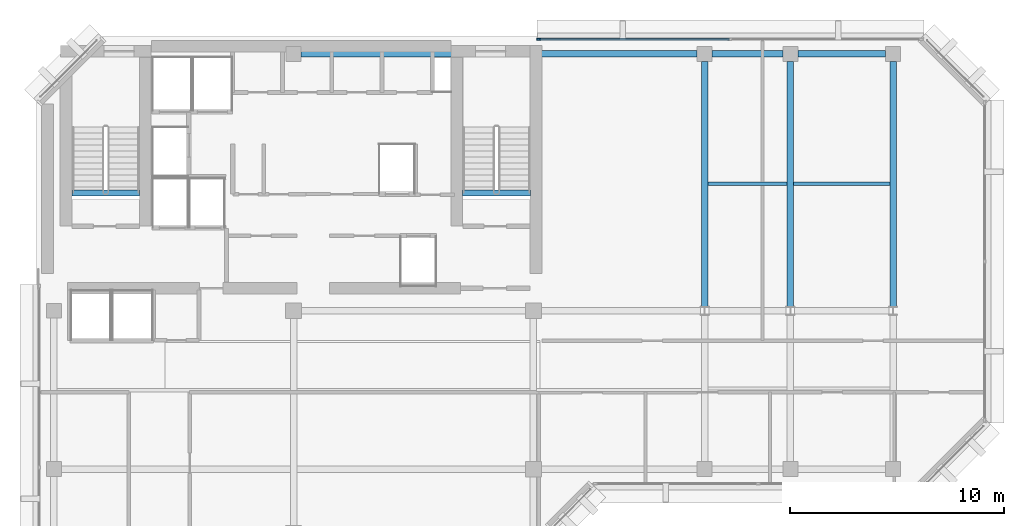
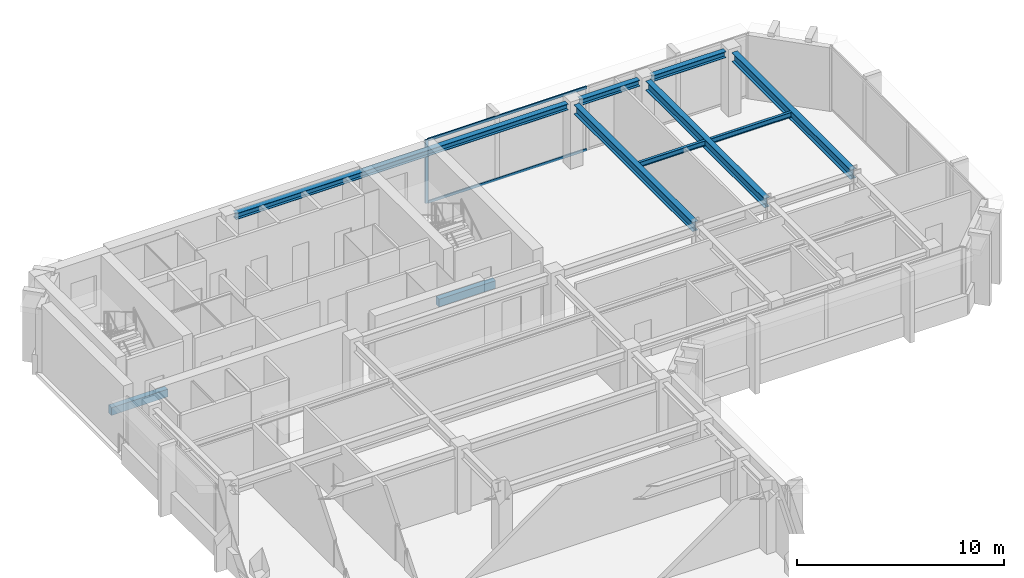
# One storey, part 4 of 12: 10 beams, 3 members, 1 element without a shape of its own.
"""IFC4 building model written with IfcOpenShell, lengths in metres."""

from ifc_helpers import new_model, si_unit, direction, frame, origin, origin_2d, place, context, subcontext, project, spatial, rectangle, i_section, extrude, material, layer, layer_set, material_profile, profile_set, type_object, element, aggregate, save


model = new_model("IFC4")

# Units and contexts
model_context = context("Model", 3, precision=1e-05, world=origin(), true_north=direction((0.0, 1.0)))
body_context = subcontext(model_context, "Body", "Model", "MODEL_VIEW")
ifc_project = project(units=[si_unit("LENGTHUNIT", "METRE"), si_unit("AREAUNIT", "SQUARE_METRE"), si_unit("VOLUMEUNIT", "CUBIC_METRE"), si_unit("PLANEANGLEUNIT", "RADIAN"), si_unit("MASSUNIT", "GRAM", prefix="KILO")], contexts=[model_context])

# Site, building, storey
site_placement = place(None, origin())
site = spatial("IfcSite", under=ifc_project, at=site_placement, CompositionType="ELEMENT")
building_placement = place(site_placement, origin())
building = spatial("IfcBuilding", under=site, at=building_placement, Name="Kefirva Bronze Tower", CompositionType="ELEMENT")
storey_placement = place(building_placement, frame((0.0, 0.0, 280.169921875)))
storey = spatial("IfcBuildingStorey", under=building, at=storey_placement, Name="L68", CompositionType="ELEMENT", Elevation=280.169921875)

# Curtain wall, members
ifc_material_1 = material(Name="Bronze anodised aluminium", Category="aluminium")
ifc_layer = layer(ifc_material_1, 0.179931640625, Name="Bronze anodised aluminium")
ifc_layer_set = layer_set([ifc_layer], Name="Bronze anodised aluminium")
curtain_wall_type = type_object("IfcCurtainWallType", Name="Unitised Bronze Ribbon Curtain Wall Zone 4", PredefinedType="USERDEFINED", material=ifc_layer_set)
curtain_wall_placement = place(storey_placement, origin())
curtain_wall = element("IfcCurtainWall", 1, at=curtain_wall_placement, inside=storey, type_object=curtain_wall_type, Name="L68 Curtain Wall 3", ObjectType="UNITISED CURTAIN WALL", PredefinedType="USERDEFINED")
ifc_material_profile_1 = material_profile(ifc_material_1, rectangle(XDim=0.074951171875, YDim=0.179931640625, at=origin_2d()), Name="ALU 75x180")
ifc_profile_set_1 = profile_set([ifc_material_profile_1], Name="Bronze anodised aluminium")
member_type_1 = type_object("IfcMemberType", Name="Bronze Mullion 75x180", PredefinedType="MULLION", material=ifc_profile_set_1)
member_1_placement = place(storey_placement, frame((23.4423828125, 45.8798828125, 0.0), z_axis=(0.0, 0.0, 1.0), x_axis=(0.0, -1.0, 0.0)))
member_1 = element("IfcMember", 2, at=member_1_placement, type_object=member_type_1, Name="CW-04 mullion 3", PredefinedType="MULLION", context=body_context, shape_type="SweptSolid", body=[
    extrude(rectangle(XDim=0.074951171875, YDim=0.179931640625, at=origin_2d()), origin(), (0.0, 0.0, 1.0), 3.739990234375),
])
ifc_material_profile_2 = material_profile(ifc_material_1, rectangle(XDim=0.074951171875, YDim=0.14990234375, at=origin_2d()), Name="ALU 75x150")
ifc_profile_set_2 = profile_set([ifc_material_profile_2], Name="Bronze anodised aluminium")
member_type_2 = type_object("IfcMemberType", Name="Bronze Transom 75x150", PredefinedType="USERDEFINED", material=ifc_profile_set_2)
member_2_placement = place(storey_placement, frame((32.33740234375, 45.8798828125, 0.03759765625), z_axis=(-1.0, 0.0, 0.0), x_axis=(0.0, -1.0, 0.0)))
member_2 = element("IfcMember", 3, at=member_2_placement, type_object=member_type_2, Name="CW-04 transom 2.1", ObjectType="TRANSOM", PredefinedType="USERDEFINED", context=body_context, shape_type="SweptSolid", body=[
    extrude(rectangle(XDim=0.074951171875, YDim=0.14990234375, at=origin_2d()), origin(), (0.0, 0.0, 1.0), 8.857421875),
])
member_3_placement = place(storey_placement, frame((32.33740234375, 45.8798828125, 3.70263671875), z_axis=(-1.0, 0.0, 0.0), x_axis=(0.0, -1.0, 0.0)))
member_3 = element("IfcMember", 4, at=member_3_placement, type_object=member_type_2, Name="CW-04 transom 2.2", ObjectType="TRANSOM", PredefinedType="USERDEFINED", context=body_context, shape_type="SweptSolid", body=[
    extrude(rectangle(XDim=0.074951171875, YDim=0.14990234375, at=origin_2d()), origin(), (0.0, 0.0, 1.0), 8.857421875),
])
aggregate(curtain_wall, [member_1, member_2, member_3])

# Beams
ifc_material_2 = material(Name="Concrete C50/60", Category="concrete")
ifc_material_profile_3 = material_profile(ifc_material_2, rectangle(XDim=0.300048828125, YDim=0.449951171875, at=origin_2d()), Name="RC 300x450")
ifc_profile_set_3 = profile_set([ifc_material_profile_3], Name="Concrete C50/60")
beam_type_1 = type_object("IfcBeamType", Name="RC Stair Trimmer Beam 300x450", PredefinedType="BEAM", material=ifc_profile_set_3)
beam_1_placement = place(storey_placement, frame((1.64501953125, 38.699951171875, -0.224853515625), z_axis=(1.0, 0.0, 0.0), x_axis=(0.0, 1.0, 0.0)))
element("IfcBeam", 5, at=beam_1_placement, inside=storey, type_object=beam_type_1, Name="L68 Stair 1 Landing Trimmer Beam", PredefinedType="BEAM", context=body_context, shape_type="SweptSolid", body=[
    extrude(rectangle(XDim=0.300048828125, YDim=0.449951171875, at=origin_2d()), origin(), (0.0, 0.0, 1.0), 3.14990234375),
])
beam_2_placement = place(storey_placement, frame((19.89501953125, 38.699951171875, -0.224853515625), z_axis=(1.0, 0.0, 0.0), x_axis=(0.0, 1.0, 0.0)))
element("IfcBeam", 6, at=beam_2_placement, inside=storey, type_object=beam_type_1, Name="L68 Stair 2 Landing Trimmer Beam", PredefinedType="BEAM", context=body_context, shape_type="SweptSolid", body=[
    extrude(rectangle(XDim=0.300048828125, YDim=0.449951171875, at=origin_2d()), origin(), (0.0, 0.0, 1.0), 3.159912109375),
])
ifc_material_3 = material(Name="Steel S355", Category="steel")
ifc_material_profile_4 = material_profile(ifc_material_3, i_section(OverallWidth=0.14990234375, OverallDepth=0.300048828125, WebThickness=0.007080078125, FlangeThickness=0.0107421875, at=origin_2d()), Name="IPE 300")
ifc_profile_set_4 = profile_set([ifc_material_profile_4], Name="Steel S355")
beam_type_2 = type_object("IfcBeamType", Name="Steel Floor Joist IPE 300", PredefinedType="JOIST", material=ifc_profile_set_4)
beam_3_placement = place(storey_placement, frame((31.35009765625, 39.12890625, 3.590087890625), z_axis=(1.0, 0.0, 0.0), x_axis=(0.0, 1.0, 0.0)))
element("IfcBeam", 7, at=beam_3_placement, inside=storey, type_object=beam_type_2, Name="L68 JST-L68-31-391", PredefinedType="JOIST", context=body_context, shape_type="SweptSolid", body=[
    extrude(i_section(OverallWidth=0.14990234375, OverallDepth=0.300048828125, WebThickness=0.007080078125, FlangeThickness=0.0107421875, at=origin_2d()), origin(), (0.0, 0.0, 1.0), 3.699951171875),
])
beam_4_placement = place(storey_placement, frame((35.35009765625, 39.12890625, 3.590087890625), z_axis=(1.0, 0.0, 0.0), x_axis=(0.0, 1.0, 0.0)))
element("IfcBeam", 8, at=beam_4_placement, inside=storey, type_object=beam_type_2, Name="L68 JST-L68-35-391", PredefinedType="JOIST", context=body_context, shape_type="SweptSolid", body=[
    extrude(i_section(OverallWidth=0.14990234375, OverallDepth=0.300048828125, WebThickness=0.007080078125, FlangeThickness=0.0107421875, at=origin_2d()), origin(), (0.0, 0.0, 1.0), 4.5),
])
ifc_material_profile_5 = material_profile(ifc_material_3, i_section(OverallWidth=0.300048828125, OverallDepth=0.550048828125, WebThickness=0.014892578125, FlangeThickness=0.029052734375, at=origin_2d()), Name="HEB 550")
ifc_profile_set_5 = profile_set([ifc_material_profile_5], Name="Steel S355")
beam_type_3 = type_object("IfcBeamType", Name="Steel Girder HEB 550", PredefinedType="USERDEFINED", material=ifc_profile_set_5)
for number, where, z_axis, x_axis, name in (
    (9, (31.199951171875, 33.407958984375, 3.465087890625), (0.0, 1.0, 0.0), (-1.0, 0.0, 0.0), "L68 BM-L68-NS-312-33"),
    (10, (35.199951171875, 33.407958984375, 3.465087890625), (0.0, 1.0, 0.0), (-1.0, 0.0, 0.0), "L68 BM-L68-NS-352-33"),
    (11, (40.0, 33.407958984375, 3.465087890625), (0.0, 1.0, 0.0), (-1.0, 0.0, 0.0), "L68 BM-L68-NS-400-33"),
):
    element("IfcBeam", number, at=place(storey_placement, frame(where, z_axis=z_axis, x_axis=x_axis)), inside=storey, type_object=beam_type_3, Name=name, ObjectType="GIRDER", PredefinedType="USERDEFINED", context=body_context, shape_type="SweptSolid", body=[
        extrude(i_section(OverallWidth=0.300048828125, OverallDepth=0.550048828125, WebThickness=0.014892578125, FlangeThickness=0.029052734375, at=origin_2d()), origin(), (0.0, 0.0, 1.0), 11.442138671875),
    ])
ifc_material_profile_6 = material_profile(ifc_material_3, i_section(OverallWidth=0.300048828125, OverallDepth=0.360107421875, WebThickness=0.012451171875, FlangeThickness=0.0224609375, at=origin_2d()), Name="HEB 360")
ifc_profile_set_6 = profile_set([ifc_material_profile_6], Name="Steel S355")
beam_type_4 = type_object("IfcBeamType", Name="Steel Spandrel HEB 360 Ext", PredefinedType="SPANDREL", material=ifc_profile_set_6)
beam_5_placement = place(storey_placement, frame((12.35009765625, 45.199951171875, 3.56005859375), z_axis=(1.0, 0.0, 0.0), x_axis=(0.0, 1.0, 0.0)))
element("IfcBeam", 12, at=beam_5_placement, inside=storey, type_object=beam_type_4, Name="L68 BM-L68-EW-12-452", PredefinedType="SPANDREL", context=body_context, shape_type="SweptSolid", body=[
    extrude(i_section(OverallWidth=0.300048828125, OverallDepth=0.360107421875, WebThickness=0.012451171875, FlangeThickness=0.0224609375, at=origin_2d()), origin(), (0.0, 0.0, 1.0), 18.5),
])
beam_6_placement = place(storey_placement, frame((31.550048828125, 45.199951171875, 3.56005859375), z_axis=(1.0, 0.0, 0.0), x_axis=(0.0, 1.0, 0.0)))
element("IfcBeam", 13, at=beam_6_placement, inside=storey, type_object=beam_type_4, Name="L68 BM-L68-EW-31-452", PredefinedType="SPANDREL", context=body_context, shape_type="SweptSolid", body=[
    extrude(i_section(OverallWidth=0.300048828125, OverallDepth=0.360107421875, WebThickness=0.012451171875, FlangeThickness=0.0224609375, at=origin_2d()), origin(), (0.0, 0.0, 1.0), 3.300048828125),
])
beam_7_placement = place(storey_placement, frame((35.550048828125, 45.199951171875, 3.56005859375), z_axis=(1.0, 0.0, 0.0), x_axis=(0.0, 1.0, 0.0)))
element("IfcBeam", 14, at=beam_7_placement, inside=storey, type_object=beam_type_4, Name="L68 BM-L68-EW-35-452", PredefinedType="SPANDREL", context=body_context, shape_type="SweptSolid", body=[
    extrude(i_section(OverallWidth=0.300048828125, OverallDepth=0.360107421875, WebThickness=0.012451171875, FlangeThickness=0.0224609375, at=origin_2d()), origin(), (0.0, 0.0, 1.0), 4.099853515625),
])

save(model, "model.ifc")
